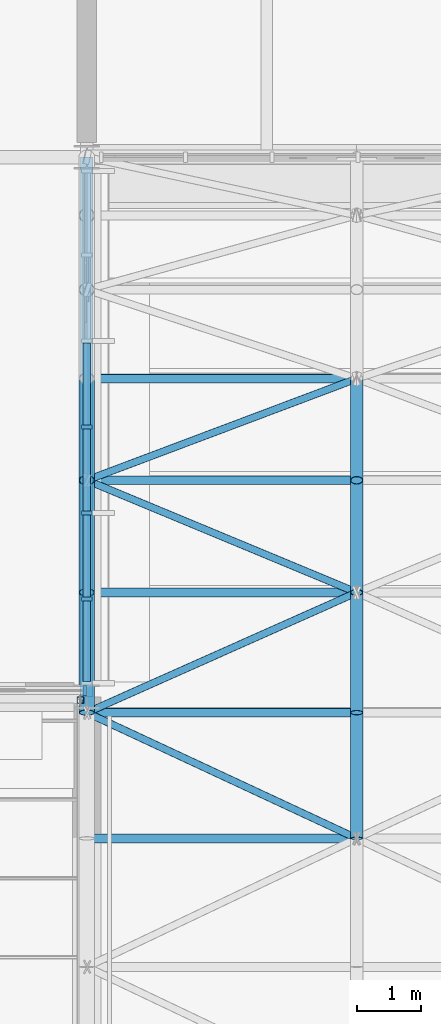
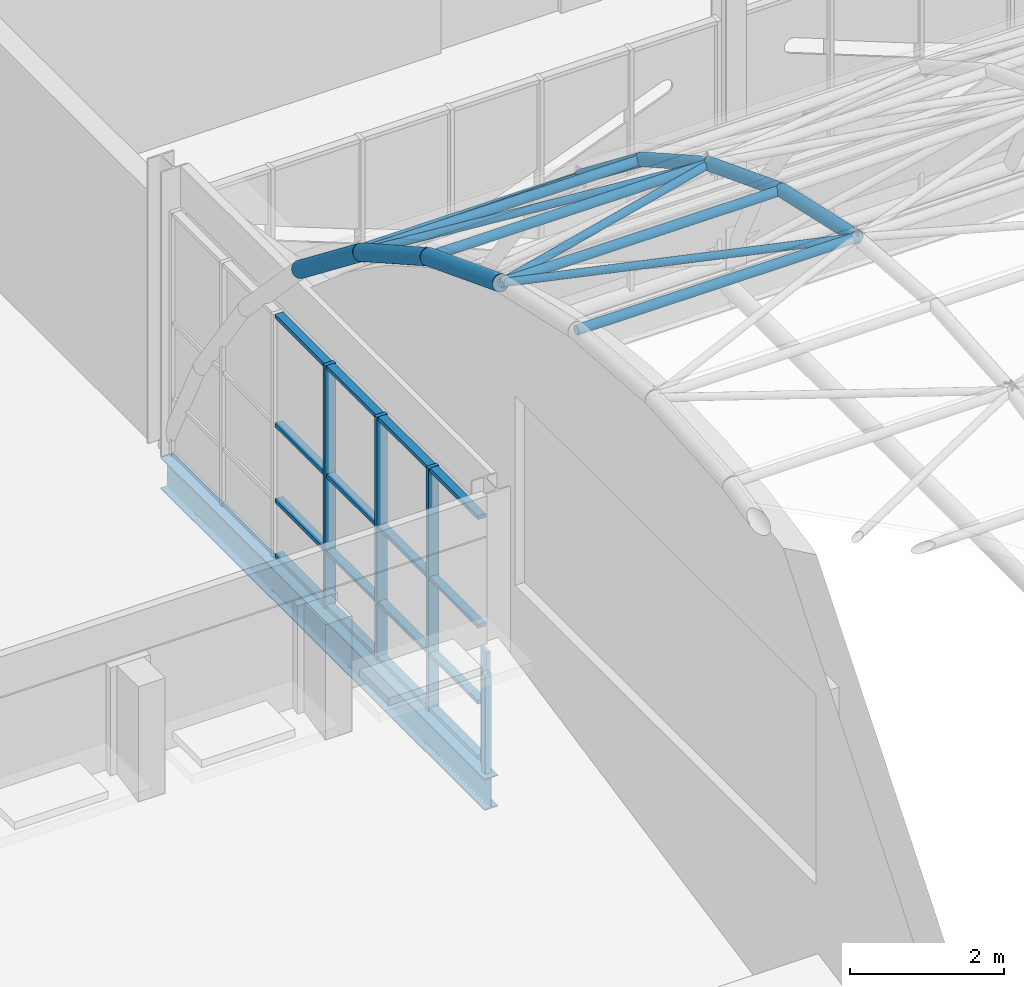
# One storey, part 43 of 121: 37 members, 1 beam, 2 elements without a shape of their own.
"""IFC4 building model written with IfcOpenShell, lengths in metres."""

from ifc_helpers import new_model, si_unit, direction, frame, origin, origin_2d, place, context, subcontext, project, spatial, rectangle, hollow_rectangle, hollow_circle, i_section, extrude, material, layer, layer_set, material_profile, profile_set, type_object, element, aggregate, save


model = new_model("IFC4")

# Units and contexts
model_context = context("Model", 3, precision=1e-05, world=origin(), true_north=direction((0.0, 1.0)))
body_context = subcontext(model_context, "Body", "Model", "MODEL_VIEW")
ifc_project = project(units=[si_unit("LENGTHUNIT", "METRE"), si_unit("AREAUNIT", "SQUARE_METRE"), si_unit("VOLUMEUNIT", "CUBIC_METRE"), si_unit("PLANEANGLEUNIT", "RADIAN"), si_unit("MASSUNIT", "GRAM", prefix="KILO")], contexts=[model_context])

# Site, building, storey
site_placement = place(None, origin())
site = spatial("IfcSite", under=ifc_project, at=site_placement, CompositionType="ELEMENT")
building_placement = place(site_placement, origin())
building = spatial("IfcBuilding", under=site, at=building_placement, Name="Ardhachandra Cancer Care Centre", CompositionType="ELEMENT")
storey_placement = place(building_placement, frame((0.0, 0.0, 9.0)))
storey = spatial("IfcBuildingStorey", under=building, at=storey_placement, Name="L02", CompositionType="ELEMENT", Elevation=9.0)

# Beam
ifc_material_1 = material(Name="Steel E350 (IS 2062)", Category="steel")
ifc_material_profile_1 = material_profile(ifc_material_1, i_section(OverallWidth=0.199951171875, OverallDepth=0.5, WebThickness=0.01025390625, FlangeThickness=0.01611328125, FilletRadius=0.02099609375, at=origin_2d()), Name="NPB 500x200x90.68")
ifc_profile_set_1 = profile_set([ifc_material_profile_1], Name="Steel E350 (IS 2062)")
beam_type = type_object("IfcBeamType", Name="Beam NPB 500x200x90.68", PredefinedType="BEAM", material=ifc_profile_set_1)
beam_placement = place(storey_placement, frame((44.39990234375, 71.39990234375, -0.39990234375), z_axis=(0.0, 1.0, 0.0), x_axis=(-1.0, 0.0, 0.0)))
element("IfcBeam", 1, at=beam_placement, inside=storey, type_object=beam_type, Name="Edge girder H5-J5", PredefinedType="BEAM", context=body_context, shape_type="SweptSolid", body=[
    extrude(i_section(OverallWidth=0.199951171875, OverallDepth=0.5, WebThickness=0.01025390625, FlangeThickness=0.01611328125, FilletRadius=0.02099609375, at=origin_2d()), origin(), (0.0, 0.0, 1.0), 8.400146484375),
])

# Curtain wall, members
ifc_material_2 = material(Name="Aluminium extrusion", Category="aluminium")
ifc_layer = layer(ifc_material_2, 0.14990234375)
ifc_layer_set = layer_set([ifc_layer], Name="Aluminium extrusion")
curtain_wall_type = type_object("IfcCurtainWallType", Name="Curtain wall run", PredefinedType="NOTDEFINED", material=ifc_layer_set)
curtain_wall_1_placement = place(storey_placement, origin())
curtain_wall_1 = element("IfcCurtainWall", 2, at=curtain_wall_1_placement, inside=storey, type_object=curtain_wall_type, Name="Curtain wall L02 e/0044400_0071400", PredefinedType="NOTDEFINED")
ifc_material_3 = material(Name="Aluminium extrusion", Category="aluminium")
ifc_material_profile_2 = material_profile(ifc_material_3, rectangle(XDim=0.159912109375, YDim=0.06005859375, at=origin_2d()), Name="Curtain wall mullion 60 x 160")
ifc_profile_set_2 = profile_set([ifc_material_profile_2], Name="Aluminium extrusion")
member_type_1 = type_object("IfcMemberType", Name="Curtain wall mullion 60 x 160", PredefinedType="MULLION", material=ifc_profile_set_2)
member_1_placement = place(storey_placement, frame((44.39990234375, 72.922607421875, 0.0), z_axis=(0.0, 0.0, 1.0), x_axis=(-1.0, 0.0, 0.0)))
member_1 = element("IfcMember", 3, at=member_1_placement, type_object=member_type_1, Name="CW mullion 2", PredefinedType="MULLION", context=body_context, shape_type="SweptSolid", body=[
    extrude(rectangle(XDim=0.159912109375, YDim=0.06005859375, at=origin_2d()), origin(), (0.0, 0.0, 1.0), 3.85009765625),
])
member_2_placement = place(storey_placement, frame((44.39990234375, 74.26123046875, 0.0), z_axis=(0.0, 0.0, 1.0), x_axis=(-1.0, 0.0, 0.0)))
member_2 = element("IfcMember", 4, at=member_2_placement, type_object=member_type_1, Name="CW mullion 3", PredefinedType="MULLION", context=body_context, shape_type="SweptSolid", body=[
    extrude(rectangle(XDim=0.159912109375, YDim=0.06005859375, at=origin_2d()), origin(), (0.0, 0.0, 1.0), 3.85009765625),
])
member_3_placement = place(storey_placement, frame((44.39990234375, 75.60009765625, 0.0), z_axis=(0.0, 0.0, 1.0), x_axis=(-1.0, 0.0, 0.0)))
member_3 = element("IfcMember", 5, at=member_3_placement, type_object=member_type_1, Name="CW mullion 4", PredefinedType="MULLION", context=body_context, shape_type="SweptSolid", body=[
    extrude(rectangle(XDim=0.159912109375, YDim=0.06005859375, at=origin_2d()), origin(), (0.0, 0.0, 1.0), 3.85009765625),
])

# Curtain wall, member
curtain_wall_2_placement = place(storey_placement, origin())
curtain_wall_2 = element("IfcCurtainWall", 6, at=curtain_wall_2_placement, inside=storey, type_object=curtain_wall_type, Name="Curtain wall L02 n/0019200_0071500", PredefinedType="NOTDEFINED")
member_4_placement = place(storey_placement, frame((44.3701171875, 71.5, 0.0), z_axis=(0.0, 0.0, 1.0), x_axis=(0.0, 1.0, 0.0)))
member_4 = element("IfcMember", 7, at=member_4_placement, type_object=member_type_1, Name="CW mullion 19", PredefinedType="MULLION", context=body_context, shape_type="SweptSolid", body=[
    extrude(rectangle(XDim=0.159912109375, YDim=0.06005859375, at=origin_2d()), origin(), (0.0, 0.0, 1.0), 1.820068359375),
])
aggregate(curtain_wall_2, [member_4])

# Member
ifc_material_4 = material(Name="Aluminium extrusion", Category="aluminium")
ifc_material_profile_3 = material_profile(ifc_material_4, rectangle(XDim=0.1201171875, YDim=0.06005859375, at=origin_2d()), Name="Curtain wall transom 60 x 120")
ifc_profile_set_3 = profile_set([ifc_material_profile_3], Name="Aluminium extrusion")
member_type_2 = type_object("IfcMemberType", Name="Curtain wall transom 60 x 120", PredefinedType="USERDEFINED", material=ifc_profile_set_3)
member_5_placement = place(storey_placement, frame((44.39990234375, 71.64404296875, 0.030029296875), z_axis=(0.0, 1.0, 0.0), x_axis=(-1.0, 0.0, 0.0)))
member_5 = element("IfcMember", 8, at=member_5_placement, type_object=member_type_2, Name="CW transom 1.1", ObjectType="TRANSOM", PredefinedType="USERDEFINED", context=body_context, shape_type="SweptSolid", body=[
    extrude(rectangle(XDim=0.1201171875, YDim=0.06005859375, at=origin_2d()), origin(), (0.0, 0.0, 1.0), 1.24853515625),
])

member_6_placement = place(storey_placement, frame((44.39990234375, 71.64404296875, 0.89990234375), z_axis=(0.0, 1.0, 0.0), x_axis=(-1.0, 0.0, 0.0)))
member_6 = element("IfcMember", 9, at=member_6_placement, type_object=member_type_2, Name="CW transom 1.2", ObjectType="TRANSOM", PredefinedType="USERDEFINED", context=body_context, shape_type="SweptSolid", body=[
    extrude(rectangle(XDim=0.1201171875, YDim=0.06005859375, at=origin_2d()), origin(), (0.0, 0.0, 1.0), 1.24853515625),
])

member_7_placement = place(storey_placement, frame((44.39990234375, 71.64404296875, 2.10009765625), z_axis=(0.0, 1.0, 0.0), x_axis=(-1.0, 0.0, 0.0)))
member_7 = element("IfcMember", 10, at=member_7_placement, type_object=member_type_2, Name="CW transom 1.3", ObjectType="TRANSOM", PredefinedType="USERDEFINED", context=body_context, shape_type="SweptSolid", body=[
    extrude(rectangle(XDim=0.1201171875, YDim=0.06005859375, at=origin_2d()), origin(), (0.0, 0.0, 1.0), 1.24853515625),
])

member_8_placement = place(storey_placement, frame((44.39990234375, 71.64404296875, 3.820068359375), z_axis=(0.0, 1.0, 0.0), x_axis=(-1.0, 0.0, 0.0)))
member_8 = element("IfcMember", 11, at=member_8_placement, type_object=member_type_2, Name="CW transom 1.4", ObjectType="TRANSOM", PredefinedType="USERDEFINED", context=body_context, shape_type="SweptSolid", body=[
    extrude(rectangle(XDim=0.1201171875, YDim=0.06005859375, at=origin_2d()), origin(), (0.0, 0.0, 1.0), 1.24853515625),
])

member_9_placement = place(storey_placement, frame((44.39990234375, 72.95263671875, 0.030029296875), z_axis=(0.0, 1.0, 0.0), x_axis=(-1.0, 0.0, 0.0)))
member_9 = element("IfcMember", 12, at=member_9_placement, type_object=member_type_2, Name="CW transom 2.1", ObjectType="TRANSOM", PredefinedType="USERDEFINED", context=body_context, shape_type="SweptSolid", body=[
    extrude(rectangle(XDim=0.1201171875, YDim=0.06005859375, at=origin_2d()), origin(), (0.0, 0.0, 1.0), 1.27880859375),
])

member_10_placement = place(storey_placement, frame((44.39990234375, 72.95263671875, 0.89990234375), z_axis=(0.0, 1.0, 0.0), x_axis=(-1.0, 0.0, 0.0)))
member_10 = element("IfcMember", 13, at=member_10_placement, type_object=member_type_2, Name="CW transom 2.2", ObjectType="TRANSOM", PredefinedType="USERDEFINED", context=body_context, shape_type="SweptSolid", body=[
    extrude(rectangle(XDim=0.1201171875, YDim=0.06005859375, at=origin_2d()), origin(), (0.0, 0.0, 1.0), 1.27880859375),
])

member_11_placement = place(storey_placement, frame((44.39990234375, 72.95263671875, 2.10009765625), z_axis=(0.0, 1.0, 0.0), x_axis=(-1.0, 0.0, 0.0)))
member_11 = element("IfcMember", 14, at=member_11_placement, type_object=member_type_2, Name="CW transom 2.3", ObjectType="TRANSOM", PredefinedType="USERDEFINED", context=body_context, shape_type="SweptSolid", body=[
    extrude(rectangle(XDim=0.1201171875, YDim=0.06005859375, at=origin_2d()), origin(), (0.0, 0.0, 1.0), 1.27880859375),
])

member_12_placement = place(storey_placement, frame((44.39990234375, 72.95263671875, 3.820068359375), z_axis=(0.0, 1.0, 0.0), x_axis=(-1.0, 0.0, 0.0)))
member_12 = element("IfcMember", 15, at=member_12_placement, type_object=member_type_2, Name="CW transom 2.4", ObjectType="TRANSOM", PredefinedType="USERDEFINED", context=body_context, shape_type="SweptSolid", body=[
    extrude(rectangle(XDim=0.1201171875, YDim=0.06005859375, at=origin_2d()), origin(), (0.0, 0.0, 1.0), 1.27880859375),
])

member_13_placement = place(storey_placement, frame((44.39990234375, 74.291259765625, 0.030029296875), z_axis=(0.0, 1.0, 0.0), x_axis=(-1.0, 0.0, 0.0)))
member_13 = element("IfcMember", 16, at=member_13_placement, type_object=member_type_2, Name="CW transom 3.1", ObjectType="TRANSOM", PredefinedType="USERDEFINED", context=body_context, shape_type="SweptSolid", body=[
    extrude(rectangle(XDim=0.1201171875, YDim=0.06005859375, at=origin_2d()), origin(), (0.0, 0.0, 1.0), 1.27880859375),
])

member_14_placement = place(storey_placement, frame((44.39990234375, 74.291259765625, 0.89990234375), z_axis=(0.0, 1.0, 0.0), x_axis=(-1.0, 0.0, 0.0)))
member_14 = element("IfcMember", 17, at=member_14_placement, type_object=member_type_2, Name="CW transom 3.2", ObjectType="TRANSOM", PredefinedType="USERDEFINED", context=body_context, shape_type="SweptSolid", body=[
    extrude(rectangle(XDim=0.1201171875, YDim=0.06005859375, at=origin_2d()), origin(), (0.0, 0.0, 1.0), 1.27880859375),
])

member_15_placement = place(storey_placement, frame((44.39990234375, 74.291259765625, 2.10009765625), z_axis=(0.0, 1.0, 0.0), x_axis=(-1.0, 0.0, 0.0)))
member_15 = element("IfcMember", 18, at=member_15_placement, type_object=member_type_2, Name="CW transom 3.3", ObjectType="TRANSOM", PredefinedType="USERDEFINED", context=body_context, shape_type="SweptSolid", body=[
    extrude(rectangle(XDim=0.1201171875, YDim=0.06005859375, at=origin_2d()), origin(), (0.0, 0.0, 1.0), 1.27880859375),
])

member_16_placement = place(storey_placement, frame((44.39990234375, 74.291259765625, 3.820068359375), z_axis=(0.0, 1.0, 0.0), x_axis=(-1.0, 0.0, 0.0)))
member_16 = element("IfcMember", 19, at=member_16_placement, type_object=member_type_2, Name="CW transom 3.4", ObjectType="TRANSOM", PredefinedType="USERDEFINED", context=body_context, shape_type="SweptSolid", body=[
    extrude(rectangle(XDim=0.1201171875, YDim=0.06005859375, at=origin_2d()), origin(), (0.0, 0.0, 1.0), 1.27880859375),
])

member_17_placement = place(storey_placement, frame((44.39990234375, 75.6298828125, 0.030029296875), z_axis=(0.0, 1.0, 0.0), x_axis=(-1.0, 0.0, 0.0)))
member_17 = element("IfcMember", 20, at=member_17_placement, type_object=member_type_2, Name="CW transom 4.1", ObjectType="TRANSOM", PredefinedType="USERDEFINED", context=body_context, shape_type="SweptSolid", body=[
    extrude(rectangle(XDim=0.1201171875, YDim=0.06005859375, at=origin_2d()), origin(), (0.0, 0.0, 1.0), 1.27880859375),
])

member_18_placement = place(storey_placement, frame((44.39990234375, 75.6298828125, 0.89990234375), z_axis=(0.0, 1.0, 0.0), x_axis=(-1.0, 0.0, 0.0)))
member_18 = element("IfcMember", 21, at=member_18_placement, type_object=member_type_2, Name="CW transom 4.2", ObjectType="TRANSOM", PredefinedType="USERDEFINED", context=body_context, shape_type="SweptSolid", body=[
    extrude(rectangle(XDim=0.1201171875, YDim=0.06005859375, at=origin_2d()), origin(), (0.0, 0.0, 1.0), 1.27880859375),
])

member_19_placement = place(storey_placement, frame((44.39990234375, 75.6298828125, 2.10009765625), z_axis=(0.0, 1.0, 0.0), x_axis=(-1.0, 0.0, 0.0)))
member_19 = element("IfcMember", 22, at=member_19_placement, type_object=member_type_2, Name="CW transom 4.3", ObjectType="TRANSOM", PredefinedType="USERDEFINED", context=body_context, shape_type="SweptSolid", body=[
    extrude(rectangle(XDim=0.1201171875, YDim=0.06005859375, at=origin_2d()), origin(), (0.0, 0.0, 1.0), 1.27880859375),
])

member_20_placement = place(storey_placement, frame((44.39990234375, 75.6298828125, 3.820068359375), z_axis=(0.0, 1.0, 0.0), x_axis=(-1.0, 0.0, 0.0)))
member_20 = element("IfcMember", 23, at=member_20_placement, type_object=member_type_2, Name="CW transom 4.4", ObjectType="TRANSOM", PredefinedType="USERDEFINED", context=body_context, shape_type="SweptSolid", body=[
    extrude(rectangle(XDim=0.1201171875, YDim=0.06005859375, at=origin_2d()), origin(), (0.0, 0.0, 1.0), 1.27880859375),
])

aggregate(curtain_wall_1, [member_1, member_2, member_3, member_5, member_6, member_7, member_8, member_9, member_10, member_11, member_12, member_13, member_14, member_15, member_16, member_17, member_18, member_19, member_20])

# Members
ifc_material_5 = material(Name="Steel E350 (IS 2062)", Category="steel")
ifc_material_profile_4 = material_profile(ifc_material_5, hollow_circle(Radius=0.05712890625, WallThickness=0.0048828125, at=origin_2d()), Name="CHS 114.3x5.0")
ifc_profile_set_4 = profile_set([ifc_material_profile_4], Name="Steel E350 (IS 2062)")
member_type_3 = type_object("IfcMemberType", Name="Hall shell Diagonal CHS 114.3x5.0", PredefinedType="BRACE", material=ifc_profile_set_4)
for number, where, z_axis, x_axis, name in (
    (24, (48.60009765625, 69.19921875, 8.252685546875), (-0.902464567995, 0.420335304775, -0.094212181128), (-0.422213249889, -0.906496537014, 0.0), "Hall shell diagonal 01-09"),
    (25, (44.39990234375, 71.155517578125, 7.814208984375), (0.902476632176, 0.401980843546, -0.154749248135), (-0.406882236734, 0.913480621267, 0.0), "Hall shell diagonal 00-10"),
    (26, (48.60009765625, 73.0263671875, 7.093994140625), (-0.90245948097, 0.375010627148, -0.21197621266), (-0.383730980501, -0.923444927759, 0.0), "Hall shell diagonal 01-11"),
    (27, (44.39990234375, 74.771728515625, 6.107421875), (0.90248245832, 0.33987350892, -0.264596693779), (-0.352434573121, 0.935836455621, 0.0), "Hall shell diagonal 00-12"),
):
    element("IfcMember", number, at=place(storey_placement, frame(where, z_axis=z_axis, x_axis=x_axis)), inside=storey, type_object=member_type_3, Name=name, PredefinedType="BRACE", context=body_context, shape_type="SweptSolid", body=[
        extrude(hollow_circle(Radius=0.05712890625, WallThickness=0.0048828125, at=origin_2d()), origin(), (0.0, 0.0, 1.0), 4.654052734375),
    ])
ifc_material_6 = material(Name="Steel E350 (IS 2062)", Category="steel")
ifc_material_profile_5 = material_profile(ifc_material_6, hollow_circle(Radius=0.06982421875, WallThickness=0.0048828125, at=origin_2d()), Name="CHS 139.7x5.0")
ifc_profile_set_5 = profile_set([ifc_material_profile_5], Name="Steel E350 (IS 2062)")
member_type_4 = type_object("IfcMemberType", Name="Hall shell Purlin CHS 139.7x5.0", PredefinedType="PURLIN", material=ifc_profile_set_5)
for number, where, z_axis, x_axis, name in (
    (28, (44.39990234375, 69.19921875, 8.252685546875), (1.0, 0.0, 0.0), (0.0, 1.0, 0.0), "Hall shell purlin 00-09"),
    (29, (44.39990234375, 71.155517578125, 7.814208984375), (1.0, 0.0, 0.0), (0.0, 1.0, 0.0), "Hall shell purlin 00-10"),
    (30, (44.39990234375, 73.0263671875, 7.093994140625), (1.0, 0.0, 0.0), (0.0, 1.0, 0.0), "Hall shell purlin 00-11"),
    (31, (44.39990234375, 74.771728515625, 6.107421875), (1.0, 0.0, 0.0), (0.0, 1.0, 0.0), "Hall shell purlin 00-12"),
    (32, (44.39990234375, 76.353515625, 4.8759765625), (1.0, 0.0, 0.0), (0.0, 1.0, 0.0), "Hall shell purlin 00-13"),
):
    element("IfcMember", number, at=place(storey_placement, frame(where, z_axis=z_axis, x_axis=x_axis)), inside=storey, type_object=member_type_4, Name=name, PredefinedType="PURLIN", context=body_context, shape_type="SweptSolid", body=[
        extrude(hollow_circle(Radius=0.06982421875, WallThickness=0.0048828125, at=origin_2d()), origin(), (0.0, 0.0, 1.0), 4.2001953125),
    ])
ifc_material_7 = material(Name="Steel E350 (IS 2062)", Category="steel")
ifc_material_profile_6 = material_profile(ifc_material_7, hollow_circle(Radius=0.096923828125, WallThickness=0.008056640625, at=origin_2d()), Name="CHS 193.7x8.0")
ifc_profile_set_6 = profile_set([ifc_material_profile_6], Name="Steel E350 (IS 2062)")
member_type_5 = type_object("IfcMemberType", Name="Hall shell Rib CHS 193.7x8.0", PredefinedType="RAFTER", material=ifc_profile_set_6)
member_21_placement = place(storey_placement, frame((48.60009765625, 69.19921875, 8.252685546875), z_axis=(0.0, 0.9757900251, -0.218709457766), x_axis=(-1.0, 0.0, 0.0)))
element("IfcMember", 33, at=member_21_placement, inside=storey, type_object=member_type_5, Name="Hall shell rib 01-09", PredefinedType="RAFTER", context=body_context, shape_type="SweptSolid", body=[
    extrude(hollow_circle(Radius=0.096923828125, WallThickness=0.008056640625, at=origin_2d()), origin(), (0.0, 0.0, 1.0), 2.0048828125),
])
member_22_placement = place(storey_placement, frame((48.60009765625, 71.155517578125, 7.814208984375), z_axis=(0.0, 0.933235705219, -0.359264691426), x_axis=(-1.0, 0.0, 0.0)))
element("IfcMember", 34, at=member_22_placement, inside=storey, type_object=member_type_5, Name="Hall shell rib 01-10", PredefinedType="RAFTER", context=body_context, shape_type="SweptSolid", body=[
    extrude(hollow_circle(Radius=0.096923828125, WallThickness=0.008056640625, at=origin_2d()), origin(), (0.0, 0.0, 1.0), 2.004638671875),
])
member_23_placement = place(storey_placement, frame((48.60009765625, 73.0263671875, 7.093994140625), z_axis=(0.0, 0.870549230609, -0.492081331779), x_axis=(-1.0, 0.0, 0.0)))
element("IfcMember", 35, at=member_23_placement, inside=storey, type_object=member_type_5, Name="Hall shell rib 01-11", PredefinedType="RAFTER", context=body_context, shape_type="SweptSolid", body=[
    extrude(hollow_circle(Radius=0.096923828125, WallThickness=0.008056640625, at=origin_2d()), origin(), (0.0, 0.0, 1.0), 2.0048828125),
])
member_24_placement = place(storey_placement, frame((48.60009765625, 74.771728515625, 6.107421875), z_axis=(0.0, 0.789070146017, -0.614303104879), x_axis=(-1.0, 0.0, 0.0)))
element("IfcMember", 36, at=member_24_placement, inside=storey, type_object=member_type_5, Name="Hall shell rib 01-12", PredefinedType="RAFTER", context=body_context, shape_type="SweptSolid", body=[
    extrude(hollow_circle(Radius=0.096923828125, WallThickness=0.008056640625, at=origin_2d()), origin(), (0.0, 0.0, 1.0), 2.004638671875),
])
ifc_material_8 = material(Name="Steel E350 (IS 2062)", Category="steel")
ifc_material_profile_7 = material_profile(ifc_material_8, hollow_circle(Radius=0.122314453125, WallThickness=0.010009765625, at=origin_2d()), Name="CHS 244.5x10.0")
ifc_profile_set_7 = profile_set([ifc_material_profile_7], Name="Steel E350 (IS 2062)")
member_type_6 = type_object("IfcMemberType", Name="Hall shell Rib CHS 244.5x10.0", PredefinedType="RAFTER", material=ifc_profile_set_7)
member_25_placement = place(storey_placement, frame((44.39990234375, 71.155517578125, 7.814208984375), z_axis=(0.0, 0.933235705219, -0.359264691426), x_axis=(-1.0, 0.0, 0.0)))
element("IfcMember", 37, at=member_25_placement, inside=storey, type_object=member_type_6, Name="Hall shell rib 00-10", PredefinedType="RAFTER", context=body_context, shape_type="SweptSolid", body=[
    extrude(hollow_circle(Radius=0.122314453125, WallThickness=0.010009765625, at=origin_2d()), origin(), (0.0, 0.0, 1.0), 2.004638671875),
])
member_26_placement = place(storey_placement, frame((44.39990234375, 73.0263671875, 7.093994140625), z_axis=(0.0, 0.870549230609, -0.492081331779), x_axis=(-1.0, 0.0, 0.0)))
element("IfcMember", 38, at=member_26_placement, inside=storey, type_object=member_type_6, Name="Hall shell rib 00-11", PredefinedType="RAFTER", context=body_context, shape_type="SweptSolid", body=[
    extrude(hollow_circle(Radius=0.122314453125, WallThickness=0.010009765625, at=origin_2d()), origin(), (0.0, 0.0, 1.0), 2.0048828125),
])
member_27_placement = place(storey_placement, frame((44.39990234375, 74.771728515625, 6.107421875), z_axis=(0.0, 0.789070146017, -0.614303104879), x_axis=(-1.0, 0.0, 0.0)))
element("IfcMember", 39, at=member_27_placement, inside=storey, type_object=member_type_6, Name="Hall shell rib 00-12", PredefinedType="RAFTER", context=body_context, shape_type="SweptSolid", body=[
    extrude(hollow_circle(Radius=0.122314453125, WallThickness=0.010009765625, at=origin_2d()), origin(), (0.0, 0.0, 1.0), 2.004638671875),
])
ifc_material_9 = material(Name="Steel E350 (IS 2062)", Category="steel")
ifc_material_profile_8 = material_profile(ifc_material_9, hollow_rectangle(XDim=0.10009765625, YDim=0.10009765625, WallThickness=0.0048828125, InnerFilletRadius=0.0048828125, OuterFilletRadius=0.010009765625, at=origin_2d()), Name="SHS 100x100x5.0")
ifc_profile_set_8 = profile_set([ifc_material_profile_8], Name="Steel E350 (IS 2062)")
member_type_7 = type_object("IfcMemberType", Name="Sawtooth ridge post SHS 100x100x5.0", PredefinedType="POST", material=ifc_profile_set_8)
member_28_placement = place(storey_placement, frame((44.300048828125, 71.35009765625, 0.0), z_axis=(0.0, 0.0, 1.0), x_axis=(1.0, 0.0, 0.0)))
element("IfcMember", 40, at=member_28_placement, inside=storey, type_object=member_type_7, Name="Ridge post T5a.4", PredefinedType="POST", context=body_context, shape_type="SweptSolid", body=[
    extrude(hollow_rectangle(XDim=0.10009765625, YDim=0.10009765625, WallThickness=0.0048828125, InnerFilletRadius=0.0048828125, OuterFilletRadius=0.010009765625, at=origin_2d()), origin(), (0.0, 0.0, 1.0), 1.5673828125),
])

save(model, "model.ifc")
